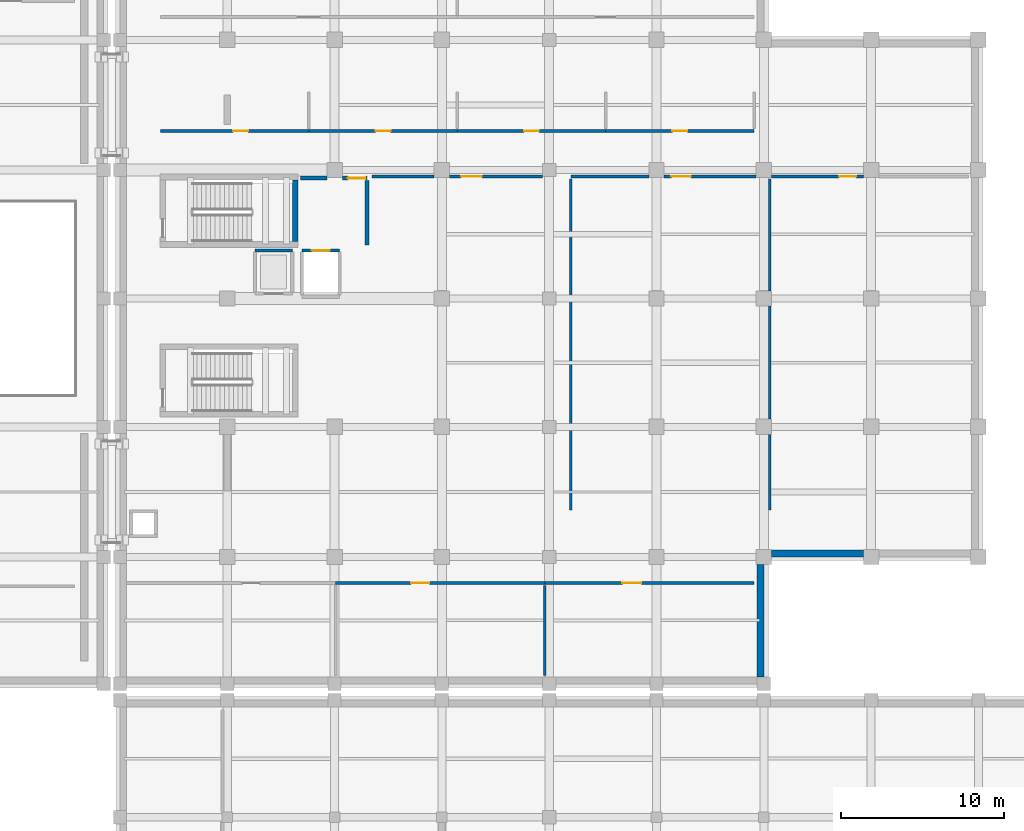
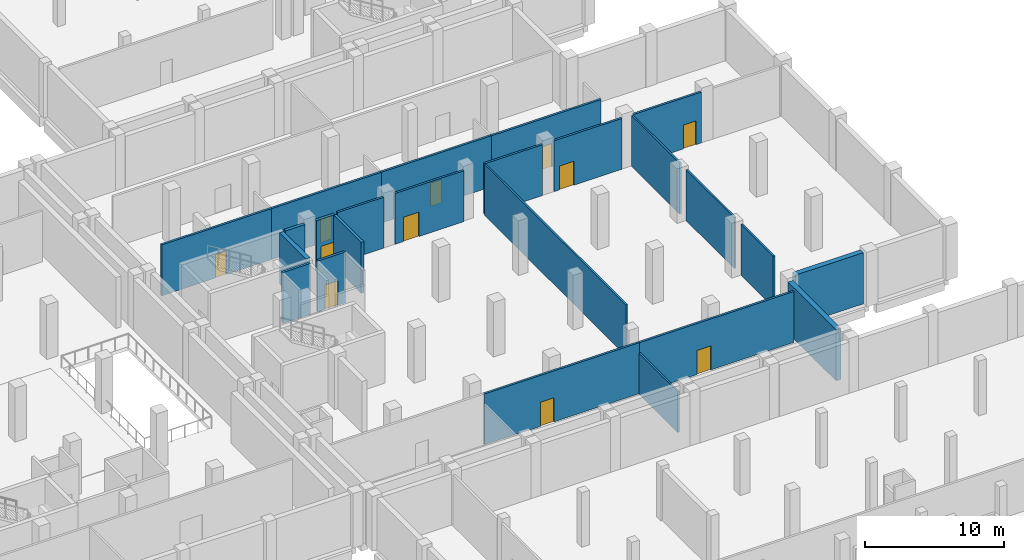
# One storey, part 15 of 31: 24 walls, 11 doors, 11 openings.
"""IFC4 building model written with IfcOpenShell, lengths in metres."""

from ifc_helpers import new_model, si_unit, direction, frame, frame_2d, origin, place, context, subcontext, project, spatial, rectangle, extrude, material, layer, layer_set, type_object, element, fill, save


model = new_model("IFC4")

# Units and contexts
model_context = context("Model", 3, precision=1e-05, world=origin(), true_north=direction((0.0, 1.0)))
body_context = subcontext(model_context, "Body", "Model", "MODEL_VIEW")
ifc_project = project(units=[si_unit("LENGTHUNIT", "METRE"), si_unit("AREAUNIT", "SQUARE_METRE"), si_unit("VOLUMEUNIT", "CUBIC_METRE"), si_unit("PLANEANGLEUNIT", "RADIAN"), si_unit("MASSUNIT", "GRAM", prefix="KILO")], contexts=[model_context])

# Site, building, storey
site_placement = place(None, origin())
site = spatial("IfcSite", under=ifc_project, at=site_placement, CompositionType="ELEMENT")
building_placement = place(site_placement, origin())
building = spatial("IfcBuilding", under=site, at=building_placement, Name="Kelarvand Opera House", CompositionType="ELEMENT")
storey_placement = place(building_placement, frame((0.0, 0.0, -4.800048828125)))
storey = spatial("IfcBuildingStorey", under=building, at=storey_placement, Name="B1", CompositionType="ELEMENT", Elevation=-4.800048828125)

# Walls
ifc_material_1 = material(Name="Acoustic double-stud gypsum partition")
ifc_layer_1 = layer(ifc_material_1, 0.14990234375, Name="Acoustic double-stud gypsum partition")
ifc_layer_set_1 = layer_set([ifc_layer_1], Name="Acoustic double-stud gypsum partition")
wall_type_1 = type_object("IfcWallType", Name="Acoustic Room Partition Wall 150", PredefinedType="PARTITIONING", material=ifc_layer_set_1)
wall_1_placement = place(storey_placement, frame((116.73291015625, 49.5, 0.0), z_axis=(0.0, 0.0, 1.0), x_axis=(0.0, 1.0, 0.0)))
element("IfcWall", 1, at=wall_1_placement, inside=storey, type_object=wall_type_1, Name="V1 B1 Partition Wall IW-150 (145)", PredefinedType="PARTITIONING", context=body_context, shape_type="SweptSolid", body=[
    extrude(rectangle(XDim=20.360107421875, YDim=0.14990234375, at=frame_2d((10.18017578125, 0.0))), origin(), (0.0, 0.0, 1.0), 4.47216796875),
])
wall_2_placement = place(storey_placement, frame((128.967041015625, 49.5, 0.0), z_axis=(0.0, 0.0, 1.0), x_axis=(0.0, 1.0, 0.0)))
element("IfcWall", 2, at=wall_2_placement, inside=storey, type_object=wall_type_1, Name="V1 B1 Partition Wall IW-150 (148)", PredefinedType="PARTITIONING", context=body_context, shape_type="SweptSolid", body=[
    extrude(rectangle(XDim=4.625, YDim=0.14990234375, at=frame_2d((2.3125, 0.0))), origin(), (0.0, 0.0, 1.0), 4.47216796875),
])
wall_3_placement = place(storey_placement, frame((128.967041015625, 55.074951171875, 0.0), z_axis=(0.0, 0.0, 1.0), x_axis=(0.0, 1.0, 0.0)))
element("IfcWall", 3, at=wall_3_placement, inside=storey, type_object=wall_type_1, Name="V1 B1 Partition Wall IW-150 (149)", PredefinedType="PARTITIONING", context=body_context, shape_type="SweptSolid", body=[
    extrude(rectangle(XDim=6.949951171875, YDim=0.14990234375, at=frame_2d((3.47509765625, 0.0))), origin(), (0.0, 0.0, 1.0), 4.47216796875),
])
wall_4_placement = place(storey_placement, frame((128.967041015625, 62.97509765625, 0.0), z_axis=(0.0, 0.0, 1.0), x_axis=(0.0, 1.0, 0.0)))
element("IfcWall", 4, at=wall_4_placement, inside=storey, type_object=wall_type_1, Name="V1 B1 Partition Wall IW-150 (150)", PredefinedType="PARTITIONING", context=body_context, shape_type="SweptSolid", body=[
    extrude(rectangle(XDim=6.885009765625, YDim=0.14990234375, at=frame_2d((3.4423828125, 0.0))), origin(), (0.0, 0.0, 1.0), 4.47216796875),
])
wall_5_placement = place(storey_placement, frame((115.133056640625, 39.300048828125, 0.0), z_axis=(0.0, 0.0, 1.0), x_axis=(0.0, 1.0, 0.0)))
element("IfcWall", 5, at=wall_5_placement, inside=storey, type_object=wall_type_1, Name="V1 B1 Partition Wall IW-150 (164)", PredefinedType="PARTITIONING", context=body_context, shape_type="SweptSolid", body=[
    extrude(rectangle(XDim=5.56005859375, YDim=0.14990234375, at=frame_2d((2.780029296875, 0.0))), origin(), (0.0, 0.0, 1.0), 3.6220703125),
])
ifc_material_2 = material(Name="Concrete C35/45", Category="concrete")
ifc_layer_2 = layer(ifc_material_2, 0.419921875, Name="Concrete C35/45", Category="concrete")
ifc_layer_set_2 = layer_set([ifc_layer_2], Name="Concrete C35/45")
wall_type_2 = type_object("IfcWallType", Name="Basement Perimeter Retaining Wall 420", PredefinedType="SHEAR", material=ifc_layer_set_2)
wall_6_placement = place(storey_placement, frame((134.72509765625, 46.81005859375, 0.0), z_axis=(0.0, 0.0, 1.0), x_axis=(-1.0, 0.0, 0.0)))
element("IfcWall", 6, at=wall_6_placement, inside=storey, type_object=wall_type_2, Name="V1 B1 Retaining Wall 55", PredefinedType="SHEAR", context=body_context, shape_type="SweptSolid", body=[
    extrude(rectangle(XDim=5.650146484375, YDim=0.419921875, at=frame_2d((2.8251953125, 0.0))), origin(), (0.0, 0.0, 1.0), 4.5),
])
wall_7_placement = place(storey_placement, frame((128.389892578125, 46.125, 0.0), z_axis=(0.0, 0.0, 1.0), x_axis=(0.0, -1.0, 0.0)))
element("IfcWall", 7, at=wall_7_placement, inside=storey, type_object=wall_type_2, Name="V1 B1 Retaining Wall 56", PredefinedType="SHEAR", context=body_context, shape_type="SweptSolid", body=[
    extrude(rectangle(XDim=6.9150390625, YDim=0.419921875, at=frame_2d((3.45751953125, 0.0))), origin(), (0.0, 0.0, 1.0), 4.5),
])
ifc_material_3 = material(Name="Concrete C40/50", Category="concrete")
ifc_layer_3 = layer(ifc_material_3, 0.35009765625, Name="Concrete C40/50", Category="concrete")
ifc_layer_set_3 = layer_set([ifc_layer_3], Name="Concrete C40/50")
wall_type_3 = type_object("IfcWallType", Name="Core Stair and Lift Shear Wall 350", PredefinedType="SHEAR", material=ifc_layer_set_3)
wall_8_placement = place(storey_placement, frame((99.77490234375, 69.800048828125, 0.0), z_axis=(0.0, 0.0, 1.0), x_axis=(0.0, -1.0, 0.0)))
element("IfcWall", 8, at=wall_8_placement, inside=storey, type_object=wall_type_3, Name="C1 Stair Core Shear Wall E B1", PredefinedType="SHEAR", context=body_context, shape_type="SweptSolid", body=[
    extrude(rectangle(XDim=3.800048828125, YDim=0.35009765625, at=frame_2d((1.89990234375, 0.0))), origin(), (0.0, 0.0, 1.0), 4.47998046875),
])
ifc_layer_4 = layer(ifc_material_2, 0.179931640625, Name="Concrete C35/45", Category="concrete")
ifc_layer_set_4 = layer_set([ifc_layer_4], Name="Concrete C35/45")
wall_type_4 = type_object("IfcWallType", Name="Corridor Fire-Rated Partition Wall 180 EI90", PredefinedType="PARTITIONING", material=ifc_layer_set_4)
wall_9_placement = place(storey_placement, frame((104.5, 70.0, 0.0), z_axis=(0.0, 0.0, 1.0), x_axis=(1.0, 0.0, 0.0)))
element("IfcWall", 9, at=wall_9_placement, inside=storey, type_object=wall_type_4, Name="V1 B1 Partition Wall IW-90 (143)", PredefinedType="PARTITIONING", context=body_context, shape_type="SweptSolid", body=[
    extrude(rectangle(XDim=3.824951171875, YDim=0.179931640625, at=frame_2d((1.91259765625, 0.0))), origin(), (0.0, 0.0, 1.0), 4.47216796875),
])

# Wall, opening, door
wall_10_placement = place(storey_placement, frame((109.27490234375, 70.0, 0.0), z_axis=(0.0, 0.0, 1.0), x_axis=(1.0, 0.0, 0.0)))
wall_10 = element("IfcWall", 10, at=wall_10_placement, inside=storey, type_object=wall_type_4, Name="V1 B1 Partition Wall IW-90 (144)", PredefinedType="PARTITIONING", context=body_context, shape_type="SweptSolid", body=[
    extrude(rectangle(XDim=5.715087890625, YDim=0.179931640625, at=frame_2d((2.857421875, 0.0))), origin(), (0.0, 0.0, 1.0), 4.47216796875),
])
opening_1_placement = place(wall_10_placement, frame((0.701904296875, 0.0, 0.0)))
opening_1 = element("IfcOpeningElement", 11, at=opening_1_placement, cuts=wall_10, Name="Opening D-11", PredefinedType="OPENING", context=body_context, shape_type="SweptSolid", body=[
    extrude(rectangle(XDim=1.280029296875, YDim=2.139892578125, at=frame_2d((0.64013671875, 1.06982421875))), frame((0.0, 0.10009765625, 0.0), z_axis=(0.0, -1.0, 0.0), x_axis=(1.0, 0.0, 0.0)), (0.0, 0.0, 1.0), 0.199951171875),
])
ifc_material_4 = material(Name="Acoustic walnut-veneered hardwood", Category="wood")
door_type_1 = type_object("IfcDoorType", Name="Instrument Store Leaf-and-Half Door 1280x2140", OperationType="NOTDEFINED", PredefinedType="DOOR", material=ifc_material_4)
door_1_placement = place(opening_1_placement, origin())
door_1 = element("IfcDoor", 12, at=door_1_placement, inside=storey, type_object=door_type_1, Name="V1 B1 Door D-11 (58)", OperationType="SINGLE_SWING_LEFT", OverallHeight=2.139892578125, OverallWidth=1.280029296875, PredefinedType="DOOR", context=body_context, shape_type="SweptSolid", body=[
    extrude(rectangle(XDim=1.280029296875, YDim=2.139892578125, at=frame_2d((0.64013671875, 1.06982421875))), frame((0.0, 0.02490234375, 0.0), z_axis=(0.0, -1.0, 0.0), x_axis=(1.0, 0.0, 0.0)), (0.0, 0.0, 1.0), 0.050048828125),
])
fill(opening_1, door_1)

# Wall
wall_11_placement = place(storey_placement, frame((116.73291015625, 70.0, 0.0), z_axis=(0.0, 0.0, 1.0), x_axis=(1.0, 0.0, 0.0)))
element("IfcWall", 13, at=wall_11_placement, inside=storey, type_object=wall_type_4, Name="V1 B1 Partition Wall IW-90 (146)", PredefinedType="PARTITIONING", context=body_context, shape_type="SweptSolid", body=[
    extrude(rectangle(XDim=4.7919921875, YDim=0.179931640625, at=frame_2d((2.39599609375, 0.0))), origin(), (0.0, 0.0, 1.0), 4.47216796875),
])

# Wall, opening, door
wall_12_placement = place(storey_placement, frame((122.47509765625, 70.0, 0.0), z_axis=(0.0, 0.0, 1.0), x_axis=(1.0, 0.0, 0.0)))
wall_12 = element("IfcWall", 14, at=wall_12_placement, inside=storey, type_object=wall_type_4, Name="V1 B1 Partition Wall IW-90 (147)", PredefinedType="PARTITIONING", context=body_context, shape_type="SweptSolid", body=[
    extrude(rectangle(XDim=5.64990234375, YDim=0.179931640625, at=frame_2d((2.824951171875, 0.0))), origin(), (0.0, 0.0, 1.0), 4.47216796875),
])
opening_2_placement = place(wall_12_placement, frame((0.43798828125, 0.0, 0.0)))
opening_2 = element("IfcOpeningElement", 15, at=opening_2_placement, cuts=wall_12, Name="Opening D-06", PredefinedType="OPENING", context=body_context, shape_type="SweptSolid", body=[
    extrude(rectangle(XDim=1.199951171875, YDim=2.10009765625, at=frame_2d((0.60009765625, 1.050048828125))), frame((0.0, 0.10009765625, 0.0), z_axis=(0.0, -1.0, 0.0), x_axis=(1.0, 0.0, 0.0)), (0.0, 0.0, 1.0), 0.199951171875),
])
door_type_2 = type_object("IfcDoorType", Name="Accessible Suite Timber Door 1200x2100", OperationType="NOTDEFINED", PredefinedType="DOOR", material=ifc_material_4)
door_2_placement = place(opening_2_placement, origin())
door_2 = element("IfcDoor", 16, at=door_2_placement, inside=storey, type_object=door_type_2, Name="V1 B1 Door D-06 (59)", OperationType="SINGLE_SWING_RIGHT", OverallHeight=2.10009765625, OverallWidth=1.199951171875, PredefinedType="DOOR", context=body_context, shape_type="SweptSolid", body=[
    extrude(rectangle(XDim=1.199951171875, YDim=2.10009765625, at=frame_2d((0.60009765625, 1.050048828125))), frame((0.0, 0.02490234375, 0.0), z_axis=(0.0, -1.0, 0.0), x_axis=(1.0, 0.0, 0.0)), (0.0, 0.0, 1.0), 0.050048828125),
])
fill(opening_2, door_2)

wall_13_placement = place(storey_placement, frame((129.074951171875, 70.0, 0.0), z_axis=(0.0, 0.0, 1.0), x_axis=(1.0, 0.0, 0.0)))
wall_13 = element("IfcWall", 17, at=wall_13_placement, inside=storey, type_object=wall_type_4, Name="V1 B1 Partition Wall IW-90 (151)", PredefinedType="PARTITIONING", context=body_context, shape_type="SweptSolid", body=[
    extrude(rectangle(XDim=5.650146484375, YDim=0.179931640625, at=frame_2d((2.8251953125, 0.0))), origin(), (0.0, 0.0, 1.0), 4.47216796875),
])
opening_3_placement = place(wall_13_placement, frame((4.14990234375, 0.0, 0.0)))
opening_3 = element("IfcOpeningElement", 18, at=opening_3_placement, cuts=wall_13, Name="Opening D-02", PredefinedType="OPENING", context=body_context, shape_type="SweptSolid", body=[
    extrude(rectangle(XDim=1.050048828125, YDim=2.10009765625, at=frame_2d((0.52490234375, 1.050048828125))), frame((0.0, 0.10009765625, 0.0), z_axis=(0.0, -1.0, 0.0), x_axis=(1.0, 0.0, 0.0)), (0.0, 0.0, 1.0), 0.199951171875),
])
door_type_3 = type_object("IfcDoorType", Name="Acoustic Studio Single Door 1050x2100", OperationType="NOTDEFINED", PredefinedType="DOOR", material=ifc_material_4)
door_3_placement = place(opening_3_placement, origin())
door_3 = element("IfcDoor", 19, at=door_3_placement, inside=storey, type_object=door_type_3, Name="V1 B1 Door D-02 (60)", OperationType="SINGLE_SWING_LEFT", OverallHeight=2.10009765625, OverallWidth=1.050048828125, PredefinedType="DOOR", context=body_context, shape_type="SweptSolid", body=[
    extrude(rectangle(XDim=1.050048828125, YDim=2.10009765625, at=frame_2d((0.52490234375, 1.050048828125))), frame((0.0, 0.02490234375, 0.0), z_axis=(0.0, -1.0, 0.0), x_axis=(1.0, 0.0, 0.0)), (0.0, 0.0, 1.0), 0.050048828125),
])
fill(opening_3, door_3)

wall_14_placement = place(storey_placement, frame((91.5, 72.800048828125, 0.0), z_axis=(0.0, 0.0, 1.0), x_axis=(1.0, 0.0, 0.0)))
wall_14 = element("IfcWall", 20, at=wall_14_placement, inside=storey, type_object=wall_type_4, Name="V1 B1 Partition Wall IW-90 (153)", PredefinedType="PARTITIONING", context=body_context, shape_type="SweptSolid", body=[
    extrude(rectangle(XDim=9.125, YDim=0.179931640625, at=frame_2d((4.5625, 0.0))), origin(), (0.0, 0.0, 1.0), 4.47216796875),
])
opening_4_placement = place(wall_14_placement, frame((4.468017578125, 0.0, 0.0)))
opening_4 = element("IfcOpeningElement", 21, at=opening_4_placement, cuts=wall_14, Name="Opening D-01", PredefinedType="OPENING", context=body_context, shape_type="SweptSolid", body=[
    extrude(rectangle(XDim=0.919921875, YDim=2.050048828125, at=frame_2d((0.4599609375, 1.02490234375))), frame((0.0, 0.10009765625, 0.0), z_axis=(0.0, -1.0, 0.0), x_axis=(1.0, 0.0, 0.0)), (0.0, 0.0, 1.0), 0.199951171875),
])
door_type_4 = type_object("IfcDoorType", Name="Solid Timber Dressing and WC Door 920x2050", OperationType="NOTDEFINED", PredefinedType="DOOR", material=ifc_material_4)
door_4_placement = place(opening_4_placement, origin())
door_4 = element("IfcDoor", 22, at=door_4_placement, inside=storey, type_object=door_type_4, Name="V1 B1 Door D-01 (61)", OperationType="SINGLE_SWING_RIGHT", OverallHeight=2.050048828125, OverallWidth=0.919921875, PredefinedType="DOOR", context=body_context, shape_type="SweptSolid", body=[
    extrude(rectangle(XDim=0.919921875, YDim=2.050048828125, at=frame_2d((0.4599609375, 1.02490234375))), frame((0.0, 0.02490234375, 0.0), z_axis=(0.0, -1.0, 0.0), x_axis=(1.0, 0.0, 0.0)), (0.0, 0.0, 1.0), 0.050048828125),
])
fill(opening_4, door_4)

wall_15_placement = place(storey_placement, frame((100.625, 72.800048828125, 0.0), z_axis=(0.0, 0.0, 1.0), x_axis=(1.0, 0.0, 0.0)))
wall_15 = element("IfcWall", 23, at=wall_15_placement, inside=storey, type_object=wall_type_4, Name="V1 B1 Partition Wall IW-90 (155)", PredefinedType="PARTITIONING", context=body_context, shape_type="SweptSolid", body=[
    extrude(rectangle(XDim=9.125, YDim=0.179931640625, at=frame_2d((4.5625, 0.0))), origin(), (0.0, 0.0, 1.0), 4.47216796875),
])
opening_5_placement = place(wall_15_placement, frame((4.10205078125, 0.0, 0.0)))
opening_5 = element("IfcOpeningElement", 24, at=opening_5_placement, cuts=wall_15, Name="Opening D-01", PredefinedType="OPENING", context=body_context, shape_type="SweptSolid", body=[
    extrude(rectangle(XDim=0.919921875, YDim=2.050048828125, at=frame_2d((0.4599609375, 1.02490234375))), frame((0.0, 0.10009765625, 0.0), z_axis=(0.0, -1.0, 0.0), x_axis=(1.0, 0.0, 0.0)), (0.0, 0.0, 1.0), 0.199951171875),
])
door_5_placement = place(opening_5_placement, origin())
door_5 = element("IfcDoor", 25, at=door_5_placement, inside=storey, type_object=door_type_4, Name="V1 B1 Door D-01 (62)", OperationType="SINGLE_SWING_LEFT", OverallHeight=2.050048828125, OverallWidth=0.919921875, PredefinedType="DOOR", context=body_context, shape_type="SweptSolid", body=[
    extrude(rectangle(XDim=0.919921875, YDim=2.050048828125, at=frame_2d((0.4599609375, 1.02490234375))), frame((0.0, 0.02490234375, 0.0), z_axis=(0.0, -1.0, 0.0), x_axis=(1.0, 0.0, 0.0)), (0.0, 0.0, 1.0), 0.050048828125),
])
fill(opening_5, door_5)

wall_16_placement = place(storey_placement, frame((109.75, 72.800048828125, 0.0), z_axis=(0.0, 0.0, 1.0), x_axis=(1.0, 0.0, 0.0)))
wall_16 = element("IfcWall", 26, at=wall_16_placement, inside=storey, type_object=wall_type_4, Name="V1 B1 Partition Wall IW-90 (157)", PredefinedType="PARTITIONING", context=body_context, shape_type="SweptSolid", body=[
    extrude(rectangle(XDim=9.125, YDim=0.179931640625, at=frame_2d((4.5625, 0.0))), origin(), (0.0, 0.0, 1.0), 4.47216796875),
])
opening_6_placement = place(wall_16_placement, frame((4.10205078125, 0.0, 0.0)))
opening_6 = element("IfcOpeningElement", 27, at=opening_6_placement, cuts=wall_16, Name="Opening D-01", PredefinedType="OPENING", context=body_context, shape_type="SweptSolid", body=[
    extrude(rectangle(XDim=0.919921875, YDim=2.050048828125, at=frame_2d((0.4599609375, 1.02490234375))), frame((0.0, 0.10009765625, 0.0), z_axis=(0.0, -1.0, 0.0), x_axis=(1.0, 0.0, 0.0)), (0.0, 0.0, 1.0), 0.199951171875),
])
door_6_placement = place(opening_6_placement, origin())
door_6 = element("IfcDoor", 28, at=door_6_placement, inside=storey, type_object=door_type_4, Name="V1 B1 Door D-01 (63)", OperationType="SINGLE_SWING_RIGHT", OverallHeight=2.050048828125, OverallWidth=0.919921875, PredefinedType="DOOR", context=body_context, shape_type="SweptSolid", body=[
    extrude(rectangle(XDim=0.919921875, YDim=2.050048828125, at=frame_2d((0.4599609375, 1.02490234375))), frame((0.0, 0.02490234375, 0.0), z_axis=(0.0, -1.0, 0.0), x_axis=(1.0, 0.0, 0.0)), (0.0, 0.0, 1.0), 0.050048828125),
])
fill(opening_6, door_6)

wall_17_placement = place(storey_placement, frame((118.875, 72.800048828125, 0.0), z_axis=(0.0, 0.0, 1.0), x_axis=(1.0, 0.0, 0.0)))
wall_17 = element("IfcWall", 29, at=wall_17_placement, inside=storey, type_object=wall_type_4, Name="V1 B1 Partition Wall IW-90 (160)", PredefinedType="PARTITIONING", context=body_context, shape_type="SweptSolid", body=[
    extrude(rectangle(XDim=9.125, YDim=0.179931640625, at=frame_2d((4.5625, 0.0))), origin(), (0.0, 0.0, 1.0), 4.47216796875),
])
opening_7_placement = place(wall_17_placement, frame((4.10205078125, 0.0, 0.0)))
opening_7 = element("IfcOpeningElement", 30, at=opening_7_placement, cuts=wall_17, Name="Opening D-01", PredefinedType="OPENING", context=body_context, shape_type="SweptSolid", body=[
    extrude(rectangle(XDim=0.919921875, YDim=2.050048828125, at=frame_2d((0.4599609375, 1.02490234375))), frame((0.0, 0.10009765625, 0.0), z_axis=(0.0, -1.0, 0.0), x_axis=(1.0, 0.0, 0.0)), (0.0, 0.0, 1.0), 0.199951171875),
])
door_7_placement = place(opening_7_placement, origin())
door_7 = element("IfcDoor", 31, at=door_7_placement, inside=storey, type_object=door_type_4, Name="V1 B1 Door D-01 (64)", OperationType="SINGLE_SWING_LEFT", OverallHeight=2.050048828125, OverallWidth=0.919921875, PredefinedType="DOOR", context=body_context, shape_type="SweptSolid", body=[
    extrude(rectangle(XDim=0.919921875, YDim=2.050048828125, at=frame_2d((0.4599609375, 1.02490234375))), frame((0.0, 0.02490234375, 0.0), z_axis=(0.0, -1.0, 0.0), x_axis=(1.0, 0.0, 0.0)), (0.0, 0.0, 1.0), 0.050048828125),
])
fill(opening_7, door_7)

wall_18_placement = place(storey_placement, frame((102.26708984375, 45.0, 0.0), z_axis=(0.0, 0.0, 1.0), x_axis=(1.0, 0.0, 0.0)))
wall_18 = element("IfcWall", 32, at=wall_18_placement, inside=storey, type_object=wall_type_4, Name="V1 B1 Partition Wall IW-90 (163)", PredefinedType="PARTITIONING", context=body_context, shape_type="SweptSolid", body=[
    extrude(rectangle(XDim=12.865966796875, YDim=0.179931640625, at=frame_2d((6.43310546875, 0.0))), origin(), (0.0, 0.0, 1.0), 4.47216796875),
])
opening_8_placement = place(wall_18_placement, frame((4.64404296875, 0.0, 0.0)))
opening_8 = element("IfcOpeningElement", 33, at=opening_8_placement, cuts=wall_18, Name="Opening D-10", PredefinedType="OPENING", context=body_context, shape_type="SweptSolid", body=[
    extrude(rectangle(XDim=1.1201171875, YDim=2.1201171875, at=frame_2d((0.56005859375, 1.06005859375))), frame((0.0, 0.10009765625, 0.0), z_axis=(0.0, -1.0, 0.0), x_axis=(1.0, 0.0, 0.0)), (0.0, 0.0, 1.0), 0.199951171875),
])
door_type_5 = type_object("IfcDoorType", Name="Chorus Studio Single Door 1120x2120", OperationType="NOTDEFINED", PredefinedType="DOOR", material=ifc_material_4)
door_8_placement = place(opening_8_placement, origin())
door_8 = element("IfcDoor", 34, at=door_8_placement, inside=storey, type_object=door_type_5, Name="V1 B1 Door D-10 (66)", OperationType="SINGLE_SWING_LEFT", OverallHeight=2.1201171875, OverallWidth=1.1201171875, PredefinedType="DOOR", context=body_context, shape_type="SweptSolid", body=[
    extrude(rectangle(XDim=1.1201171875, YDim=2.1201171875, at=frame_2d((0.56005859375, 1.06005859375))), frame((0.0, 0.02490234375, 0.0), z_axis=(0.0, -1.0, 0.0), x_axis=(1.0, 0.0, 0.0)), (0.0, 0.0, 1.0), 0.050048828125),
])
fill(opening_8, door_8)

wall_19_placement = place(storey_placement, frame((115.133056640625, 45.0, 0.0), z_axis=(0.0, 0.0, 1.0), x_axis=(1.0, 0.0, 0.0)))
wall_19 = element("IfcWall", 35, at=wall_19_placement, inside=storey, type_object=wall_type_4, Name="V1 B1 Partition Wall IW-90 (165)", PredefinedType="PARTITIONING", context=body_context, shape_type="SweptSolid", body=[
    extrude(rectangle(XDim=12.866943359375, YDim=0.179931640625, at=frame_2d((6.43359375, 0.0))), origin(), (0.0, 0.0, 1.0), 4.47216796875),
])
opening_9_placement = place(wall_19_placement, frame((4.77099609375, 0.0, 0.0)))
opening_9 = element("IfcOpeningElement", 36, at=opening_9_placement, cuts=wall_19, Name="Opening D-20", PredefinedType="OPENING", context=body_context, shape_type="SweptSolid", body=[
    extrude(rectangle(XDim=1.159912109375, YDim=2.10009765625, at=frame_2d((0.580078125, 1.050048828125))), frame((0.0, 0.10009765625, 0.0), z_axis=(0.0, -1.0, 0.0), x_axis=(1.0, 0.0, 0.0)), (0.0, 0.0, 1.0), 0.199951171875),
])
door_type_6 = type_object("IfcDoorType", Name="Library Reading Room Door 1160x2100", OperationType="NOTDEFINED", PredefinedType="DOOR", material=ifc_material_4)
door_9_placement = place(opening_9_placement, origin())
door_9 = element("IfcDoor", 37, at=door_9_placement, inside=storey, type_object=door_type_6, Name="V1 B1 Door D-20 (67)", OperationType="SINGLE_SWING_RIGHT", OverallHeight=2.10009765625, OverallWidth=1.159912109375, PredefinedType="DOOR", context=body_context, shape_type="SweptSolid", body=[
    extrude(rectangle(XDim=1.159912109375, YDim=2.10009765625, at=frame_2d((0.580078125, 1.050048828125))), frame((0.0, 0.02490234375, 0.0), z_axis=(0.0, -1.0, 0.0), x_axis=(1.0, 0.0, 0.0)), (0.0, 0.0, 1.0), 0.050048828125),
])
fill(opening_9, door_9)

ifc_layer_5 = layer(ifc_material_2, 0.239990234375, Name="Concrete C35/45", Category="concrete")
ifc_layer_set_5 = layer_set([ifc_layer_5], Name="Concrete C35/45")
wall_type_5 = type_object("IfcWallType", Name="Firefighting Lobby Partition Wall 240 EI120", PredefinedType="PARTITIONING", material=ifc_layer_set_5)
wall_20_placement = place(storey_placement, frame((104.199951171875, 69.89990234375, 0.0), z_axis=(0.0, 0.0, 1.0), x_axis=(-1.0, 0.0, 0.0)))
wall_20 = element("IfcWall", 38, at=wall_20_placement, inside=storey, type_object=wall_type_5, Name="V1 B1 Partition Wall IW-120 (116)", PredefinedType="PARTITIONING", context=body_context, shape_type="SweptSolid", body=[
    extrude(rectangle(XDim=1.52490234375, YDim=0.239990234375, at=frame_2d((0.762451171875, 0.0))), origin(), (0.0, 0.0, 1.0), 4.47216796875),
])
opening_10_placement = place(wall_20_placement, frame((0.080078125, 0.0, 0.0)))
opening_10 = element("IfcOpeningElement", 39, at=opening_10_placement, cuts=wall_20, Name="Opening FD-01", PredefinedType="OPENING", context=body_context, shape_type="SweptSolid", body=[
    extrude(rectangle(XDim=1.10009765625, YDim=2.080078125, at=frame_2d((0.550048828125, 1.0400390625))), frame((0.0, 0.1298828125, 0.0), z_axis=(0.0, -1.0, 0.0), x_axis=(1.0, 0.0, 0.0)), (0.0, 0.0, 1.0), 0.260009765625),
])
ifc_material_5 = material(Name="Fire-rated brushed stainless steel", Category="steel")
door_type_7 = type_object("IfcDoorType", Name="Steel Fire-Rated Stair and FF Lobby Door 1100x2080", OperationType="NOTDEFINED", PredefinedType="DOOR", material=ifc_material_5)
door_10_placement = place(opening_10_placement, origin())
door_10 = element("IfcDoor", 40, at=door_10_placement, inside=storey, type_object=door_type_7, Name="V1 B1 Door FD-01 (50)", OperationType="SINGLE_SWING_LEFT", OverallHeight=2.080078125, OverallWidth=1.10009765625, PredefinedType="DOOR", context=body_context, shape_type="SweptSolid", body=[
    extrude(rectangle(XDim=1.10009765625, YDim=2.080078125, at=frame_2d((0.550048828125, 1.0400390625))), frame((0.0, 0.02490234375, 0.0), z_axis=(0.0, -1.0, 0.0), x_axis=(1.0, 0.0, 0.0)), (0.0, 0.0, 1.0), 0.050048828125),
])
fill(opening_10, door_10)

# Walls
wall_21_placement = place(storey_placement, frame((101.72509765625, 69.89990234375, 0.0), z_axis=(0.0, 0.0, 1.0), x_axis=(-1.0, 0.0, 0.0)))
element("IfcWall", 41, at=wall_21_placement, inside=storey, type_object=wall_type_5, Name="V1 B1 Partition Wall IW-120 (117)", PredefinedType="PARTITIONING", context=body_context, shape_type="SweptSolid", body=[
    extrude(rectangle(XDim=1.625, YDim=0.239990234375, at=frame_2d((0.8125, 0.0))), origin(), (0.0, 0.0, 1.0), 4.47216796875),
])
wall_22_placement = place(storey_placement, frame((104.199951171875, 69.760009765625, 0.0), z_axis=(0.0, 0.0, 1.0), x_axis=(0.0, -1.0, 0.0)))
element("IfcWall", 42, at=wall_22_placement, inside=storey, type_object=wall_type_5, Name="V1 B1 Partition Wall IW-120 (118)", PredefinedType="PARTITIONING", context=body_context, shape_type="SweptSolid", body=[
    extrude(rectangle(XDim=3.9599609375, YDim=0.239990234375, at=frame_2d((1.97998046875, 0.0))), origin(), (0.0, 0.0, 1.0), 4.47216796875),
])

# Wall, opening, door
ifc_layer_6 = layer(ifc_material_2, 0.199951171875, Name="Concrete C35/45", Category="concrete")
ifc_layer_set_6 = layer_set([ifc_layer_6], Name="Concrete C35/45")
wall_type_6 = type_object("IfcWallType", Name="Lift and Riser Shaft Enclosure Wall 200 EI120", PredefinedType="PARTITIONING", material=ifc_layer_set_6)
wall_23_placement = place(storey_placement, frame((102.5, 65.449951171875, 0.0), z_axis=(0.0, 0.0, 1.0), x_axis=(-1.0, 0.0, 0.0)))
wall_23 = element("IfcWall", 43, at=wall_23_placement, inside=storey, type_object=wall_type_6, Name="V1 B1 Partition Wall SW-200 (109)", PredefinedType="PARTITIONING", context=body_context, shape_type="SweptSolid", body=[
    extrude(rectangle(XDim=2.300048828125, YDim=0.199951171875, at=frame_2d((1.14990234375, 0.0))), origin(), (0.0, 0.0, 1.0), 4.47216796875),
])
opening_11_placement = place(wall_23_placement, frame((0.60009765625, 0.0, 0.0)))
opening_11 = element("IfcOpeningElement", 44, at=opening_11_placement, cuts=wall_23, Name="Opening LD-01", PredefinedType="OPENING", context=body_context, shape_type="SweptSolid", body=[
    extrude(rectangle(XDim=1.10009765625, YDim=2.14990234375, at=frame_2d((0.550048828125, 1.074951171875))), frame((0.0, 0.10986328125, 0.0), z_axis=(0.0, -1.0, 0.0), x_axis=(1.0, 0.0, 0.0)), (0.0, 0.0, 1.0), 0.219970703125),
])
door_type_8 = type_object("IfcDoorType", Name="Passenger Lift Sliding Landing Door 1100x2150", OperationType="SLIDING_TO_LEFT", PredefinedType="DOOR", material=ifc_material_5)
door_11_placement = place(opening_11_placement, origin())
door_11 = element("IfcDoor", 45, at=door_11_placement, inside=storey, type_object=door_type_8, Name="V1 B1 Door LD-01 (48)", OperationType="SLIDING_TO_LEFT", OverallHeight=2.14990234375, OverallWidth=1.10009765625, PredefinedType="DOOR", context=body_context, shape_type="SweptSolid", body=[
    extrude(rectangle(XDim=1.10009765625, YDim=2.14990234375, at=frame_2d((0.550048828125, 1.074951171875))), frame((0.0, 0.02490234375, 0.0), z_axis=(0.0, -1.0, 0.0), x_axis=(1.0, 0.0, 0.0)), (0.0, 0.0, 1.0), 0.050048828125),
])
fill(opening_11, door_11)

# Wall
wall_24_placement = place(storey_placement, frame((99.60009765625, 65.449951171875, 0.0), z_axis=(0.0, 0.0, 1.0), x_axis=(-1.0, 0.0, 0.0)))
element("IfcWall", 46, at=wall_24_placement, inside=storey, type_object=wall_type_6, Name="V1 B1 Partition Wall SW-200 (113)", PredefinedType="PARTITIONING", context=body_context, shape_type="SweptSolid", body=[
    extrude(rectangle(XDim=2.300048828125, YDim=0.199951171875, at=frame_2d((1.14990234375, 0.0))), origin(), (0.0, 0.0, 1.0), 4.47216796875),
])

save(model, "model.ifc")
